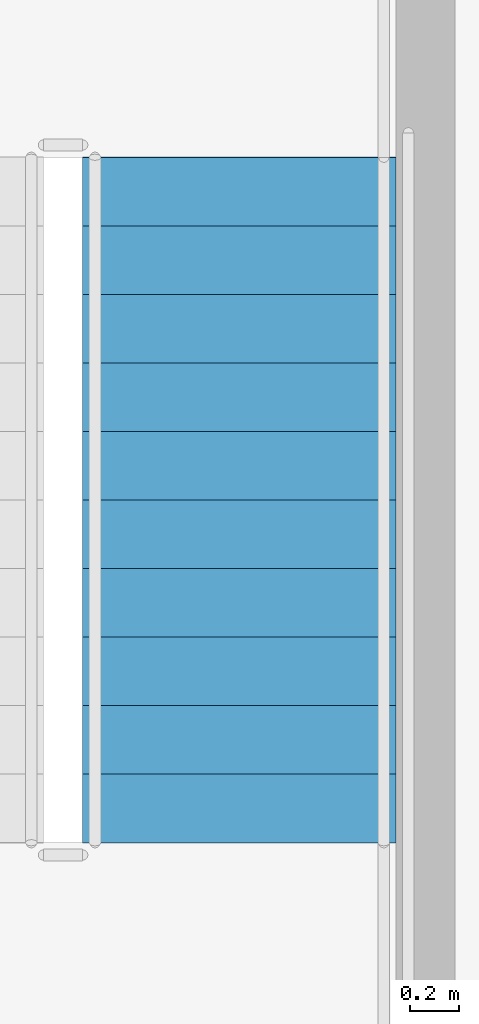
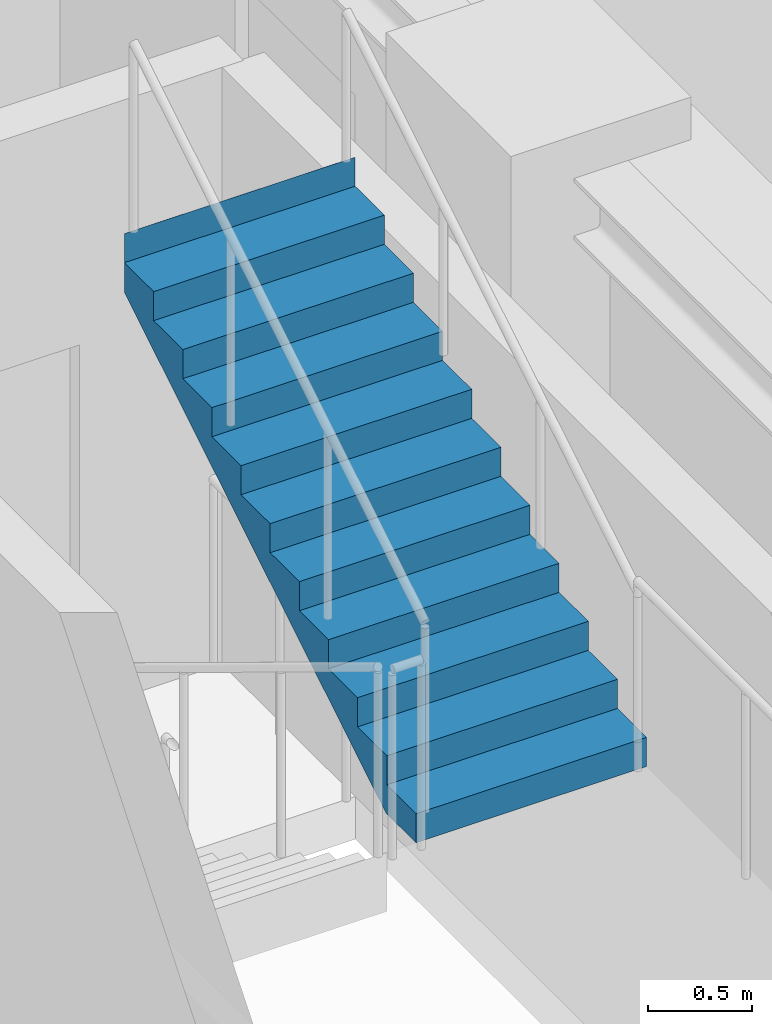
# One storey, part 9 of 12: 1 stair flight, 1 element without a shape of its own.
"""IFC4 building model written with IfcOpenShell, lengths in metres."""

from ifc_helpers import new_model, si_unit, direction, frame, origin, place, context, subcontext, project, spatial, polyline, outline, extrude, material, type_object, element, aggregate, save


model = new_model("IFC4")

# Units and contexts
model_context = context("Model", 3, precision=1e-05, world=origin(), true_north=direction((0.0, 1.0)))
body_context = subcontext(model_context, "Body", "Model", "MODEL_VIEW")
ifc_project = project(units=[si_unit("LENGTHUNIT", "METRE"), si_unit("AREAUNIT", "SQUARE_METRE"), si_unit("VOLUMEUNIT", "CUBIC_METRE"), si_unit("PLANEANGLEUNIT", "RADIAN"), si_unit("MASSUNIT", "GRAM", prefix="KILO")], contexts=[model_context])

# Site, building, storey
site_placement = place(None, origin())
site = spatial("IfcSite", under=ifc_project, at=site_placement, CompositionType="ELEMENT")
building_placement = place(site_placement, origin())
building = spatial("IfcBuilding", under=site, at=building_placement, Name="Ndelora Gate Hotel", CompositionType="ELEMENT")
storey_placement = place(building_placement, frame((0.0, 0.0, 149.75)))
storey = spatial("IfcBuildingStorey", under=building, at=storey_placement, Name="L37", CompositionType="ELEMENT", Elevation=149.75)

# Stair, stair flight
ifc_material = material(Name="Precast concrete C40/50", Category="concrete")
stair_type = type_object("IfcStairType", Name="STR-DOG-CORE", PredefinedType="HALF_TURN_STAIR", material=ifc_material)
stair_placement = place(storey_placement, origin())
stair = element("IfcStair", 1, at=stair_placement, inside=storey, type_object=stair_type, Name="L37 Protected Core Exit Stair ST5", PredefinedType="HALF_TURN_STAIR")
stair_flight_type = type_object("IfcStairFlightType", Name="STF-PRECAST", PredefinedType="STRAIGHT", material=ifc_material)
stair_flight_placement = place(storey_placement, frame((6.2099609375, -3.030029296875, 1.875), z_axis=(0.0, 0.0, 1.0), x_axis=(0.0, 1.0, 0.0)))
stair_flight = element("IfcStairFlight", 2, at=stair_flight_placement, type_object=stair_flight_type, Name="ST5 flight 2", NumberOfRisers=11, NumberOfTreads=10, PredefinedType="STRAIGHT", RiserHeight=0.170454545, TreadLength=0.28, context=body_context, shape_type="SweptSolid", body=[
    extrude(outline(polyline([(-0.00048828125, 0.0), (-0.00048828125, 0.17041015625), (0.0, 0.17041015625), (0.280029296875, 0.17041015625), (0.280029296875, 0.3408203125), (0.56005859375, 0.3408203125), (0.56005859375, 0.511474609375), (0.840087890625, 0.511474609375), (0.840087890625, 0.681884765625), (1.1201171875, 0.681884765625), (1.1201171875, 0.852294921875), (1.39990234375, 0.852294921875), (1.39990234375, 1.022705078125), (1.679931640625, 1.022705078125), (1.679931640625, 1.193115234375), (1.9599609375, 1.193115234375), (1.9599609375, 1.363525390625), (2.239990234375, 1.363525390625), (2.239990234375, 1.5341796875), (2.52001953125, 1.5341796875), (2.52001953125, 1.70458984375), (2.800048828125, 1.70458984375), (2.800048828125, 1.875), (2.800537109375, 1.875), (2.800537109375, 1.695068359375), (2.800048828125, 1.529052734375), (0.288330078125, 0.0), (-0.00048828125, 0.0)])), frame((0.0, 0.64013671875, 0.0), z_axis=(0.0, -1.0, 0.0), x_axis=(1.0, 0.0, 0.0)), (0.0, 0.0, 1.0), 1.280029296875),
])
aggregate(stair, [stair_flight])

save(model, "model.ifc")
